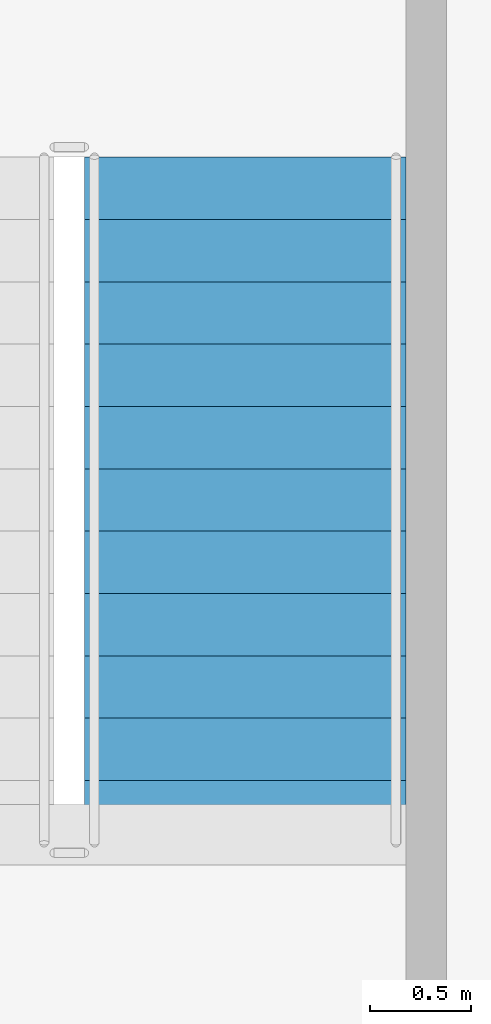
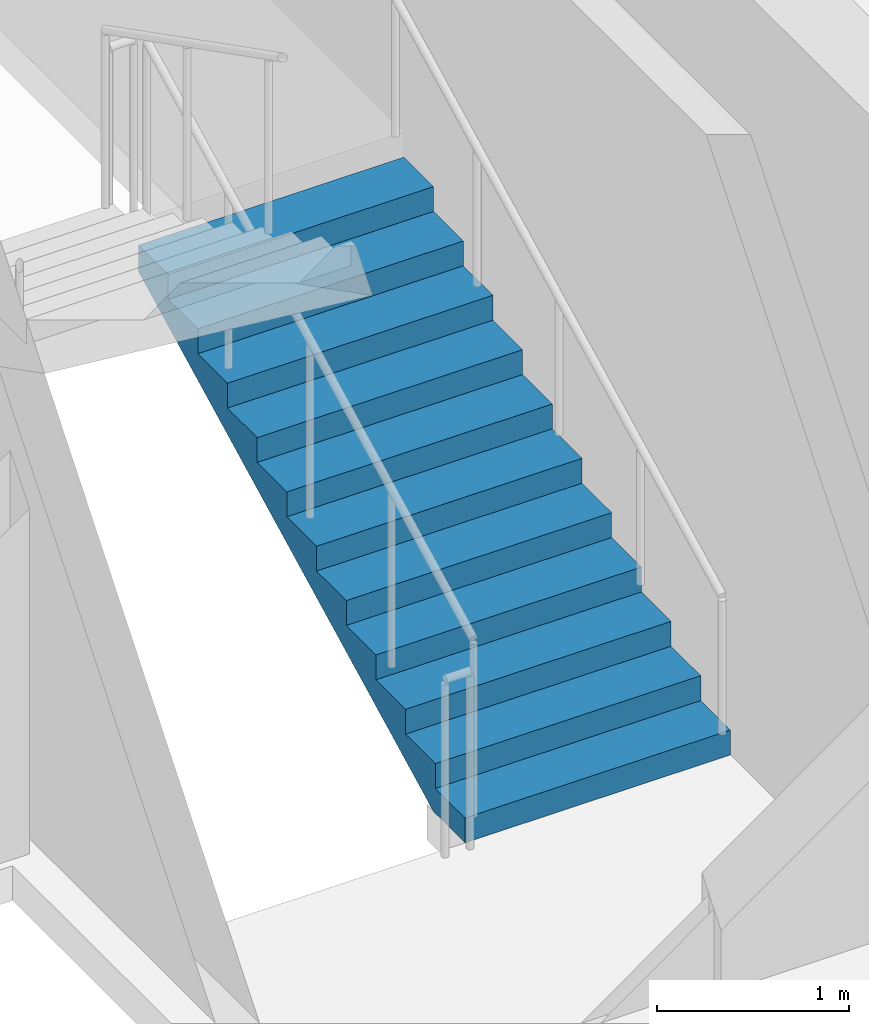
# One storey, part 13 of 20: 1 stair flight, 1 element without a shape of its own.
"""IFC4 building model written with IfcOpenShell, lengths in metres."""

from ifc_helpers import new_model, si_unit, direction, frame, origin, place, context, subcontext, project, spatial, polyline, outline, extrude, material, type_object, element, aggregate, save


model = new_model("IFC4")

# Units and contexts
model_context = context("Model", 3, precision=1e-05, world=origin(), true_north=direction((0.0, 1.0)))
body_context = subcontext(model_context, "Body", "Model", "MODEL_VIEW")
ifc_project = project(units=[si_unit("LENGTHUNIT", "METRE"), si_unit("AREAUNIT", "SQUARE_METRE"), si_unit("VOLUMEUNIT", "CUBIC_METRE"), si_unit("PLANEANGLEUNIT", "RADIAN"), si_unit("MASSUNIT", "GRAM", prefix="KILO")], contexts=[model_context])

# Site, building, storey
site_placement = place(None, origin())
site = spatial("IfcSite", under=ifc_project, at=site_placement, CompositionType="ELEMENT")
building_placement = place(site_placement, origin())
building = spatial("IfcBuilding", under=site, at=building_placement, Name="Vaeldorn Concourse Tower", CompositionType="ELEMENT")
storey_placement = place(building_placement, frame((0.0, 0.0, 291.60009765625)))
storey = spatial("IfcBuildingStorey", under=building, at=storey_placement, Name="L75", CompositionType="ELEMENT", Elevation=291.60009765625)

# Stair, stair flight
ifc_material = material(Name="Precast concrete C40/50", Category="concrete")
stair_type = type_object("IfcStairType", Name="STR-DOG-24x158", PredefinedType="HALF_TURN_STAIR", material=ifc_material)
stair_placement = place(storey_placement, origin())
stair = element("IfcStair", 1, at=stair_placement, inside=storey, type_object=stair_type, Name="L75 East Core Exit Stair ST-2", PredefinedType="HALF_TURN_STAIR")
stair_flight_type = type_object("IfcStairFlightType", Name="STF-STR-12x158", PredefinedType="STRAIGHT", material=ifc_material)
stair_flight_placement = place(storey_placement, frame((52.14990234375, 41.60009765625, 0.0), z_axis=(0.0, 0.0, 1.0), x_axis=(0.0, 1.0, 0.0)))
stair_flight = element("IfcStairFlight", 2, at=stair_flight_placement, type_object=stair_flight_type, Name="ST-2 flight 1", NumberOfRisers=12, NumberOfTreads=11, PredefinedType="STRAIGHT", RiserHeight=0.158333333, TreadLength=0.31, context=body_context, shape_type="SweptSolid", body=[
    extrude(outline(polyline([(0.0, 0.0), (0.0, 0.158447265625), (0.31005859375, 0.158447265625), (0.31005859375, 0.316650390625), (0.6201171875, 0.316650390625), (0.6201171875, 0.47509765625), (0.929931640625, 0.47509765625), (0.929931640625, 0.63330078125), (1.239990234375, 0.63330078125), (1.239990234375, 0.791748046875), (1.550048828125, 0.791748046875), (1.550048828125, 0.949951171875), (1.860107421875, 0.949951171875), (1.860107421875, 1.1083984375), (2.169921875, 1.1083984375), (2.169921875, 1.2666015625), (2.47998046875, 1.2666015625), (2.47998046875, 1.425048828125), (2.7900390625, 1.425048828125), (2.7900390625, 1.583251953125), (3.10009765625, 1.583251953125), (3.10009765625, 1.74169921875), (3.409912109375, 1.74169921875), (3.409912109375, 1.89990234375), (3.409912109375, 1.5732421875), (0.32958984375, 0.0), (0.0, 0.0)])), frame((0.0, 0.800048828125, 0.0), z_axis=(0.0, -1.0, 0.0), x_axis=(1.0, 0.0, 0.0)), (0.0, 0.0, 1.0), 1.60009765625),
])
aggregate(stair, [stair_flight])

save(model, "model.ifc")
